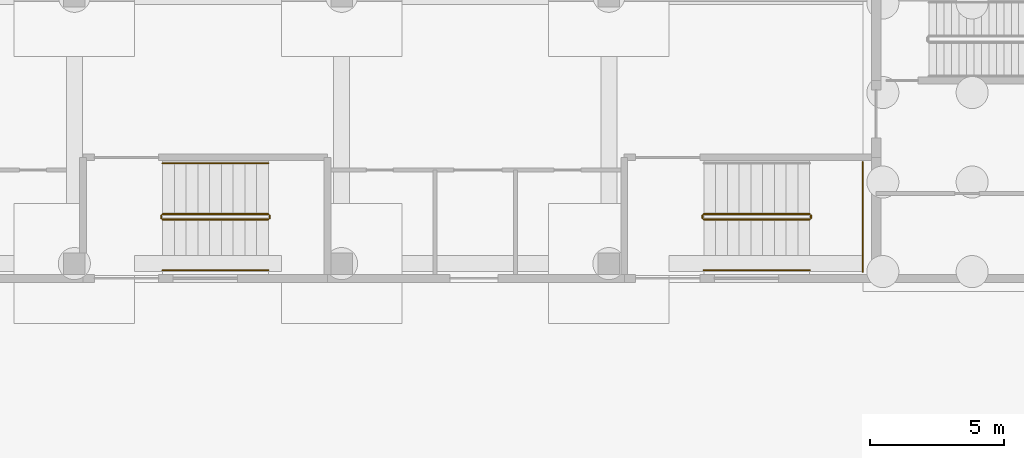
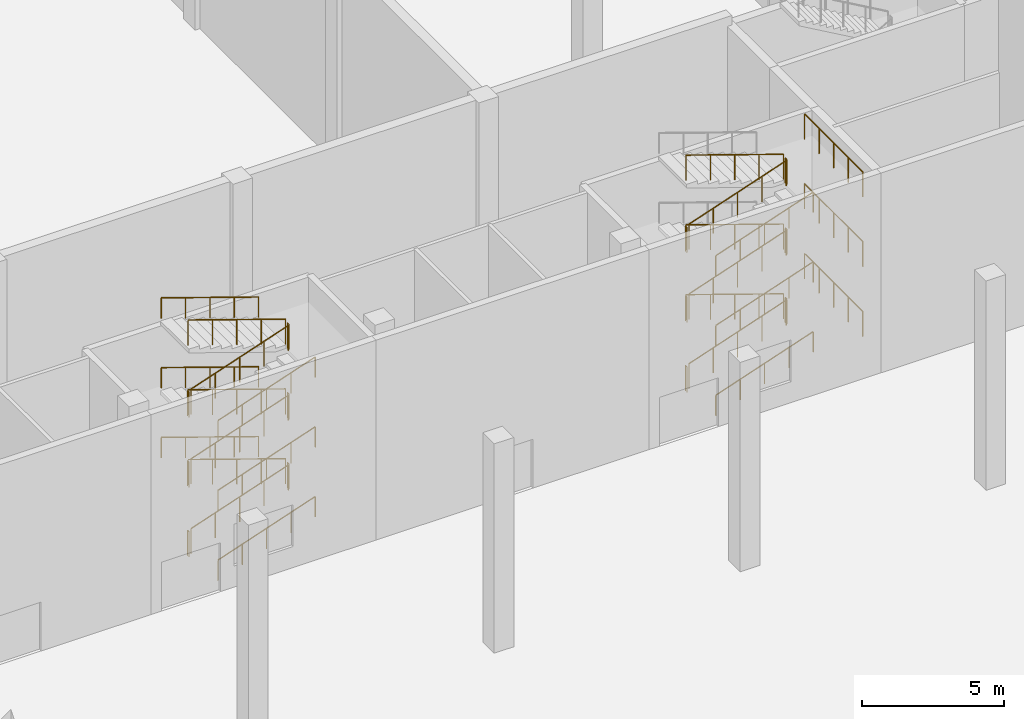
# One storey, part 55 of 63: 36 railings.
"""IFC4 building model written with IfcOpenShell, lengths in metres."""

from ifc_helpers import new_model, si_unit, direction, frame, origin, origin_2d, place, context, subcontext, project, spatial, circle, extrude, material, type_object, element, save


model = new_model("IFC4")

# Units and contexts
model_context = context("Model", 3, precision=1e-05, world=origin(), true_north=direction((0.0, 1.0)))
body_context = subcontext(model_context, "Body", "Model", "MODEL_VIEW")
ifc_project = project(units=[si_unit("LENGTHUNIT", "METRE"), si_unit("AREAUNIT", "SQUARE_METRE"), si_unit("VOLUMEUNIT", "CUBIC_METRE"), si_unit("PLANEANGLEUNIT", "RADIAN"), si_unit("MASSUNIT", "GRAM", prefix="KILO")], contexts=[model_context])

# Site, building, storey
site_placement = place(None, origin())
site = spatial("IfcSite", under=ifc_project, at=site_placement, CompositionType="ELEMENT")
building_placement = place(site_placement, origin())
building = spatial("IfcBuilding", under=site, at=building_placement, Name="Jabali Bay Hotel Tower and Convention Centre", CompositionType="ELEMENT")
storey_placement = place(building_placement, origin())
storey = spatial("IfcBuildingStorey", under=building, at=storey_placement, Name="L00", CompositionType="ELEMENT", Elevation=0.0)

# Railings
ifc_material = material(Name="Stainless steel 304", Category="steel")
railing_type_1 = type_object("IfcRailingType", Name="CC Stair Guard 1100", PredefinedType="GUARDRAIL", material=ifc_material)
railing_1_placement = place(storey_placement, frame((204.0, 51.64990234375, 0.14990234375)))
element("IfcRailing", 1, at=railing_1_placement, inside=storey, type_object=railing_type_1, Name="L00 CC-STS2 stair guard 1", PredefinedType="GUARDRAIL", context=body_context, shape_type="SweptSolid", body=[
    extrude(circle(Radius=0.02392578125, at=origin_2d()), frame((0.0, 0.0, 1.076171875), z_axis=(0.946502086907, 0.0, 0.322697690542), x_axis=(0.0, 1.0, 0.0)), (0.0, 0.0, 1.0), 4.183837890625),
    extrude(circle(Radius=0.02099609375, at=origin_2d()), origin(), (0.0, 0.0, 1.0), 1.052001953125),
    extrude(circle(Radius=0.02099609375, at=origin_2d()), frame((0.989990234375, 0.0, 0.33740234375)), (0.0, 0.0, 1.0), 1.052001953125),
    extrude(circle(Radius=0.02099609375, at=origin_2d()), frame((1.97998046875, 0.0, 0.675048828125)), (0.0, 0.0, 1.0), 1.052001953125),
    extrude(circle(Radius=0.02099609375, at=origin_2d()), frame((2.969970703125, 0.0, 1.0126953125)), (0.0, 0.0, 1.0), 1.052001953125),
    extrude(circle(Radius=0.02099609375, at=origin_2d()), frame((3.9599609375, 0.0, 1.35009765625)), (0.0, 0.0, 1.0), 1.052001953125),
])
railing_2_placement = place(storey_placement, frame((208.010009765625, 51.699951171875, 1.5)))
element("IfcRailing", 2, at=railing_2_placement, inside=storey, type_object=railing_type_1, Name="L00 CC-STS2 stair guard 2", PredefinedType="GUARDRAIL", context=body_context, shape_type="SweptSolid", body=[
    extrude(circle(Radius=0.02392578125, at=origin_2d()), frame((0.0, 0.0, 1.076171875), z_axis=(0.0, 1.0, 0.0), x_axis=(-1.0, 0.0, 0.0)), (0.0, 0.0, 1.0), 0.10009765625),
    extrude(circle(Radius=0.02099609375, at=origin_2d()), origin(), (0.0, 0.0, 1.0), 1.052001953125),
    extrude(circle(Radius=0.02099609375, at=origin_2d()), frame((0.0, 0.10009765625, 0.0)), (0.0, 0.0, 1.0), 1.052001953125),
])
railing_3_placement = place(storey_placement, frame((207.9599609375, 51.85009765625, 1.64990234375)))
element("IfcRailing", 3, at=railing_3_placement, inside=storey, type_object=railing_type_1, Name="L00 CC-STS2 stair guard 3", PredefinedType="GUARDRAIL", context=body_context, shape_type="SweptSolid", body=[
    extrude(circle(Radius=0.02392578125, at=origin_2d()), frame((0.0, 0.0, 1.076171875), z_axis=(-0.946502086907, 0.0, 0.322697690542), x_axis=(0.0, -1.0, 0.0)), (0.0, 0.0, 1.0), 4.183837890625),
    extrude(circle(Radius=0.02099609375, at=origin_2d()), origin(), (0.0, 0.0, 1.0), 1.052001953125),
    extrude(circle(Radius=0.02099609375, at=origin_2d()), frame((-0.989990234375, 0.0, 0.33740234375)), (0.0, 0.0, 1.0), 1.052001953125),
    extrude(circle(Radius=0.02099609375, at=origin_2d()), frame((-1.97998046875, 0.0, 0.675048828125)), (0.0, 0.0, 1.0), 1.052001953125),
    extrude(circle(Radius=0.02099609375, at=origin_2d()), frame((-2.969970703125, 0.0, 1.0126953125)), (0.0, 0.0, 1.0), 1.052001953125),
    extrude(circle(Radius=0.02099609375, at=origin_2d()), frame((-3.9599609375, 0.0, 1.35009765625)), (0.0, 0.0, 1.0), 1.052001953125),
])
railing_4_placement = place(storey_placement, frame((203.949951171875, 51.699951171875, 3.0)))
element("IfcRailing", 4, at=railing_4_placement, inside=storey, type_object=railing_type_1, Name="L00 CC-STS2 stair guard 4", PredefinedType="GUARDRAIL", context=body_context, shape_type="SweptSolid", body=[
    extrude(circle(Radius=0.02392578125, at=origin_2d()), frame((0.0, 0.0, 1.076171875), z_axis=(0.0, 1.0, 0.0), x_axis=(-1.0, 0.0, 0.0)), (0.0, 0.0, 1.0), 0.10009765625),
    extrude(circle(Radius=0.02099609375, at=origin_2d()), origin(), (0.0, 0.0, 1.0), 1.052001953125),
    extrude(circle(Radius=0.02099609375, at=origin_2d()), frame((0.0, 0.10009765625, 0.0)), (0.0, 0.0, 1.0), 1.052001953125),
])
railing_5_placement = place(storey_placement, frame((204.0, 51.64990234375, 3.14990234375)))
element("IfcRailing", 5, at=railing_5_placement, inside=storey, type_object=railing_type_1, Name="L00 CC-STS2 stair guard 5", PredefinedType="GUARDRAIL", context=body_context, shape_type="SweptSolid", body=[
    extrude(circle(Radius=0.02392578125, at=origin_2d()), frame((0.0, 0.0, 1.076171875), z_axis=(0.946502086907, 0.0, 0.322697690542), x_axis=(0.0, 1.0, 0.0)), (0.0, 0.0, 1.0), 4.183837890625),
    extrude(circle(Radius=0.02099609375, at=origin_2d()), origin(), (0.0, 0.0, 1.0), 1.052001953125),
    extrude(circle(Radius=0.02099609375, at=origin_2d()), frame((0.989990234375, 0.0, 0.33740234375)), (0.0, 0.0, 1.0), 1.052001953125),
    extrude(circle(Radius=0.02099609375, at=origin_2d()), frame((1.97998046875, 0.0, 0.675048828125)), (0.0, 0.0, 1.0), 1.052001953125),
    extrude(circle(Radius=0.02099609375, at=origin_2d()), frame((2.969970703125, 0.0, 1.0126953125)), (0.0, 0.0, 1.0), 1.052001953125),
    extrude(circle(Radius=0.02099609375, at=origin_2d()), frame((3.9599609375, 0.0, 1.35009765625)), (0.0, 0.0, 1.0), 1.052001953125),
])
railing_6_placement = place(storey_placement, frame((208.010009765625, 51.699951171875, 4.5)))
element("IfcRailing", 6, at=railing_6_placement, inside=storey, type_object=railing_type_1, Name="L00 CC-STS2 stair guard 6", PredefinedType="GUARDRAIL", context=body_context, shape_type="SweptSolid", body=[
    extrude(circle(Radius=0.02392578125, at=origin_2d()), frame((0.0, 0.0, 1.076171875), z_axis=(0.0, 1.0, 0.0), x_axis=(-1.0, 0.0, 0.0)), (0.0, 0.0, 1.0), 0.10009765625),
    extrude(circle(Radius=0.02099609375, at=origin_2d()), origin(), (0.0, 0.0, 1.0), 1.052001953125),
    extrude(circle(Radius=0.02099609375, at=origin_2d()), frame((0.0, 0.10009765625, 0.0)), (0.0, 0.0, 1.0), 1.052001953125),
])
railing_7_placement = place(storey_placement, frame((207.9599609375, 51.85009765625, 4.64990234375)))
element("IfcRailing", 7, at=railing_7_placement, inside=storey, type_object=railing_type_1, Name="L00 CC-STS2 stair guard 7", PredefinedType="GUARDRAIL", context=body_context, shape_type="SweptSolid", body=[
    extrude(circle(Radius=0.02392578125, at=origin_2d()), frame((0.0, 0.0, 1.076171875), z_axis=(-0.946502086907, 0.0, 0.322697690542), x_axis=(0.0, -1.0, 0.0)), (0.0, 0.0, 1.0), 4.183837890625),
    extrude(circle(Radius=0.02099609375, at=origin_2d()), origin(), (0.0, 0.0, 1.0), 1.052001953125),
    extrude(circle(Radius=0.02099609375, at=origin_2d()), frame((-0.989990234375, 0.0, 0.33740234375)), (0.0, 0.0, 1.0), 1.052001953125),
    extrude(circle(Radius=0.02099609375, at=origin_2d()), frame((-1.97998046875, 0.0, 0.675048828125)), (0.0, 0.0, 1.0), 1.052001953125),
    extrude(circle(Radius=0.02099609375, at=origin_2d()), frame((-2.969970703125, 0.0, 1.0126953125)), (0.0, 0.0, 1.0), 1.052001953125),
    extrude(circle(Radius=0.02099609375, at=origin_2d()), frame((-3.9599609375, 0.0, 1.35009765625)), (0.0, 0.0, 1.0), 1.052001953125),
])
railing_8_placement = place(storey_placement, frame((203.949951171875, 51.699951171875, 6.0)))
element("IfcRailing", 8, at=railing_8_placement, inside=storey, type_object=railing_type_1, Name="L00 CC-STS2 stair guard 8", PredefinedType="GUARDRAIL", context=body_context, shape_type="SweptSolid", body=[
    extrude(circle(Radius=0.02392578125, at=origin_2d()), frame((0.0, 0.0, 1.076171875), z_axis=(0.0, 1.0, 0.0), x_axis=(-1.0, 0.0, 0.0)), (0.0, 0.0, 1.0), 0.10009765625),
    extrude(circle(Radius=0.02099609375, at=origin_2d()), origin(), (0.0, 0.0, 1.0), 1.052001953125),
    extrude(circle(Radius=0.02099609375, at=origin_2d()), frame((0.0, 0.10009765625, 0.0)), (0.0, 0.0, 1.0), 1.052001953125),
])
railing_9_placement = place(storey_placement, frame((204.0, 51.64990234375, 6.14990234375)))
element("IfcRailing", 9, at=railing_9_placement, inside=storey, type_object=railing_type_1, Name="L00 CC-STS2 stair guard 9", PredefinedType="GUARDRAIL", context=body_context, shape_type="SweptSolid", body=[
    extrude(circle(Radius=0.02392578125, at=origin_2d()), frame((0.0, 0.0, 1.076171875), z_axis=(0.946502086907, 0.0, 0.322697690542), x_axis=(0.0, 1.0, 0.0)), (0.0, 0.0, 1.0), 4.183837890625),
    extrude(circle(Radius=0.02099609375, at=origin_2d()), origin(), (0.0, 0.0, 1.0), 1.052001953125),
    extrude(circle(Radius=0.02099609375, at=origin_2d()), frame((0.989990234375, 0.0, 0.33740234375)), (0.0, 0.0, 1.0), 1.052001953125),
    extrude(circle(Radius=0.02099609375, at=origin_2d()), frame((1.97998046875, 0.0, 0.675048828125)), (0.0, 0.0, 1.0), 1.052001953125),
    extrude(circle(Radius=0.02099609375, at=origin_2d()), frame((2.969970703125, 0.0, 1.0126953125)), (0.0, 0.0, 1.0), 1.052001953125),
    extrude(circle(Radius=0.02099609375, at=origin_2d()), frame((3.9599609375, 0.0, 1.35009765625)), (0.0, 0.0, 1.0), 1.052001953125),
])
railing_10_placement = place(storey_placement, frame((208.010009765625, 51.699951171875, 7.5)))
element("IfcRailing", 10, at=railing_10_placement, inside=storey, type_object=railing_type_1, Name="L00 CC-STS2 stair guard 10", PredefinedType="GUARDRAIL", context=body_context, shape_type="SweptSolid", body=[
    extrude(circle(Radius=0.02392578125, at=origin_2d()), frame((0.0, 0.0, 1.076171875), z_axis=(0.0, 1.0, 0.0), x_axis=(-1.0, 0.0, 0.0)), (0.0, 0.0, 1.0), 0.10009765625),
    extrude(circle(Radius=0.02099609375, at=origin_2d()), origin(), (0.0, 0.0, 1.0), 1.052001953125),
    extrude(circle(Radius=0.02099609375, at=origin_2d()), frame((0.0, 0.10009765625, 0.0)), (0.0, 0.0, 1.0), 1.052001953125),
])
railing_11_placement = place(storey_placement, frame((207.9599609375, 51.85009765625, 7.64990234375)))
element("IfcRailing", 11, at=railing_11_placement, inside=storey, type_object=railing_type_1, Name="L00 CC-STS2 stair guard 11", PredefinedType="GUARDRAIL", context=body_context, shape_type="SweptSolid", body=[
    extrude(circle(Radius=0.02392578125, at=origin_2d()), frame((0.0, 0.0, 1.076171875), z_axis=(-0.946502086907, 0.0, 0.322697690542), x_axis=(0.0, -1.0, 0.0)), (0.0, 0.0, 1.0), 4.183837890625),
    extrude(circle(Radius=0.02099609375, at=origin_2d()), origin(), (0.0, 0.0, 1.0), 1.052001953125),
    extrude(circle(Radius=0.02099609375, at=origin_2d()), frame((-0.989990234375, 0.0, 0.33740234375)), (0.0, 0.0, 1.0), 1.052001953125),
    extrude(circle(Radius=0.02099609375, at=origin_2d()), frame((-1.97998046875, 0.0, 0.675048828125)), (0.0, 0.0, 1.0), 1.052001953125),
    extrude(circle(Radius=0.02099609375, at=origin_2d()), frame((-2.969970703125, 0.0, 1.0126953125)), (0.0, 0.0, 1.0), 1.052001953125),
    extrude(circle(Radius=0.02099609375, at=origin_2d()), frame((-3.9599609375, 0.0, 1.35009765625)), (0.0, 0.0, 1.0), 1.052001953125),
])
railing_12_placement = place(storey_placement, frame((203.949951171875, 51.699951171875, 0.0)))
element("IfcRailing", 12, at=railing_12_placement, inside=storey, type_object=railing_type_1, Name="L00 CC-STS2 stair guard 12", PredefinedType="GUARDRAIL", context=body_context, shape_type="SweptSolid", body=[
    extrude(circle(Radius=0.02392578125, at=origin_2d()), frame((0.0, 0.0, 1.076171875), z_axis=(0.0, 1.0, 0.0), x_axis=(-1.0, 0.0, 0.0)), (0.0, 0.0, 1.0), 0.10009765625),
    extrude(circle(Radius=0.02099609375, at=origin_2d()), origin(), (0.0, 0.0, 1.0), 1.052001953125),
    extrude(circle(Radius=0.02099609375, at=origin_2d()), frame((0.0, 0.10009765625, 0.0)), (0.0, 0.0, 1.0), 1.052001953125),
])
railing_13_placement = place(storey_placement, frame((224.25, 51.64990234375, 0.14990234375)))
element("IfcRailing", 13, at=railing_13_placement, inside=storey, type_object=railing_type_1, Name="L00 CC-STS3 stair guard 1", PredefinedType="GUARDRAIL", context=body_context, shape_type="SweptSolid", body=[
    extrude(circle(Radius=0.02392578125, at=origin_2d()), frame((0.0, 0.0, 1.076171875), z_axis=(0.946502086907, 0.0, 0.322697690542), x_axis=(0.0, 1.0, 0.0)), (0.0, 0.0, 1.0), 4.183837890625),
    extrude(circle(Radius=0.02099609375, at=origin_2d()), origin(), (0.0, 0.0, 1.0), 1.052001953125),
    extrude(circle(Radius=0.02099609375, at=origin_2d()), frame((0.989990234375, 0.0, 0.33740234375)), (0.0, 0.0, 1.0), 1.052001953125),
    extrude(circle(Radius=0.02099609375, at=origin_2d()), frame((1.97998046875, 0.0, 0.675048828125)), (0.0, 0.0, 1.0), 1.052001953125),
    extrude(circle(Radius=0.02099609375, at=origin_2d()), frame((2.969970703125, 0.0, 1.0126953125)), (0.0, 0.0, 1.0), 1.052001953125),
    extrude(circle(Radius=0.02099609375, at=origin_2d()), frame((3.9599609375, 0.0, 1.35009765625)), (0.0, 0.0, 1.0), 1.052001953125),
])
railing_14_placement = place(storey_placement, frame((228.260009765625, 51.699951171875, 1.5)))
element("IfcRailing", 14, at=railing_14_placement, inside=storey, type_object=railing_type_1, Name="L00 CC-STS3 stair guard 2", PredefinedType="GUARDRAIL", context=body_context, shape_type="SweptSolid", body=[
    extrude(circle(Radius=0.02392578125, at=origin_2d()), frame((0.0, 0.0, 1.076171875), z_axis=(0.0, 1.0, 0.0), x_axis=(-1.0, 0.0, 0.0)), (0.0, 0.0, 1.0), 0.10009765625),
    extrude(circle(Radius=0.02099609375, at=origin_2d()), origin(), (0.0, 0.0, 1.0), 1.052001953125),
    extrude(circle(Radius=0.02099609375, at=origin_2d()), frame((0.0, 0.10009765625, 0.0)), (0.0, 0.0, 1.0), 1.052001953125),
])
railing_15_placement = place(storey_placement, frame((230.199951171875, 49.699951171875, 1.5)))
element("IfcRailing", 15, at=railing_15_placement, inside=storey, type_object=railing_type_1, Name="L00 CC-STS3 stair guard 3", PredefinedType="GUARDRAIL", context=body_context, shape_type="SweptSolid", body=[
    extrude(circle(Radius=0.02392578125, at=origin_2d()), frame((0.0, 0.0, 1.076171875), z_axis=(0.0, 1.0, 0.0), x_axis=(-1.0, 0.0, 0.0)), (0.0, 0.0, 1.0), 4.10009765625),
    extrude(circle(Radius=0.02099609375, at=origin_2d()), origin(), (0.0, 0.0, 1.0), 1.052001953125),
    extrude(circle(Radius=0.02099609375, at=origin_2d()), frame((0.0, 1.02490234375, 0.0)), (0.0, 0.0, 1.0), 1.052001953125),
    extrude(circle(Radius=0.02099609375, at=origin_2d()), frame((0.0, 2.050048828125, 0.0)), (0.0, 0.0, 1.0), 1.052001953125),
    extrude(circle(Radius=0.02099609375, at=origin_2d()), frame((0.0, 3.0751953125, 0.0)), (0.0, 0.0, 1.0), 1.052001953125),
    extrude(circle(Radius=0.02099609375, at=origin_2d()), frame((0.0, 4.10009765625, 0.0)), (0.0, 0.0, 1.0), 1.052001953125),
])
railing_16_placement = place(storey_placement, frame((228.2099609375, 51.85009765625, 1.64990234375)))
element("IfcRailing", 16, at=railing_16_placement, inside=storey, type_object=railing_type_1, Name="L00 CC-STS3 stair guard 4", PredefinedType="GUARDRAIL", context=body_context, shape_type="SweptSolid", body=[
    extrude(circle(Radius=0.02392578125, at=origin_2d()), frame((0.0, 0.0, 1.076171875), z_axis=(-0.946502086907, 0.0, 0.322697690542), x_axis=(0.0, -1.0, 0.0)), (0.0, 0.0, 1.0), 4.183837890625),
    extrude(circle(Radius=0.02099609375, at=origin_2d()), origin(), (0.0, 0.0, 1.0), 1.052001953125),
    extrude(circle(Radius=0.02099609375, at=origin_2d()), frame((-0.989990234375, 0.0, 0.33740234375)), (0.0, 0.0, 1.0), 1.052001953125),
    extrude(circle(Radius=0.02099609375, at=origin_2d()), frame((-1.97998046875, 0.0, 0.675048828125)), (0.0, 0.0, 1.0), 1.052001953125),
    extrude(circle(Radius=0.02099609375, at=origin_2d()), frame((-2.969970703125, 0.0, 1.0126953125)), (0.0, 0.0, 1.0), 1.052001953125),
    extrude(circle(Radius=0.02099609375, at=origin_2d()), frame((-3.9599609375, 0.0, 1.35009765625)), (0.0, 0.0, 1.0), 1.052001953125),
])
railing_17_placement = place(storey_placement, frame((224.199951171875, 51.699951171875, 3.0)))
element("IfcRailing", 17, at=railing_17_placement, inside=storey, type_object=railing_type_1, Name="L00 CC-STS3 stair guard 5", PredefinedType="GUARDRAIL", context=body_context, shape_type="SweptSolid", body=[
    extrude(circle(Radius=0.02392578125, at=origin_2d()), frame((0.0, 0.0, 1.076171875), z_axis=(0.0, 1.0, 0.0), x_axis=(-1.0, 0.0, 0.0)), (0.0, 0.0, 1.0), 0.10009765625),
    extrude(circle(Radius=0.02099609375, at=origin_2d()), origin(), (0.0, 0.0, 1.0), 1.052001953125),
    extrude(circle(Radius=0.02099609375, at=origin_2d()), frame((0.0, 0.10009765625, 0.0)), (0.0, 0.0, 1.0), 1.052001953125),
])
railing_18_placement = place(storey_placement, frame((224.25, 51.64990234375, 3.14990234375)))
element("IfcRailing", 18, at=railing_18_placement, inside=storey, type_object=railing_type_1, Name="L00 CC-STS3 stair guard 6", PredefinedType="GUARDRAIL", context=body_context, shape_type="SweptSolid", body=[
    extrude(circle(Radius=0.02392578125, at=origin_2d()), frame((0.0, 0.0, 1.076171875), z_axis=(0.946502086907, 0.0, 0.322697690542), x_axis=(0.0, 1.0, 0.0)), (0.0, 0.0, 1.0), 4.183837890625),
    extrude(circle(Radius=0.02099609375, at=origin_2d()), origin(), (0.0, 0.0, 1.0), 1.052001953125),
    extrude(circle(Radius=0.02099609375, at=origin_2d()), frame((0.989990234375, 0.0, 0.33740234375)), (0.0, 0.0, 1.0), 1.052001953125),
    extrude(circle(Radius=0.02099609375, at=origin_2d()), frame((1.97998046875, 0.0, 0.675048828125)), (0.0, 0.0, 1.0), 1.052001953125),
    extrude(circle(Radius=0.02099609375, at=origin_2d()), frame((2.969970703125, 0.0, 1.0126953125)), (0.0, 0.0, 1.0), 1.052001953125),
    extrude(circle(Radius=0.02099609375, at=origin_2d()), frame((3.9599609375, 0.0, 1.35009765625)), (0.0, 0.0, 1.0), 1.052001953125),
])
railing_19_placement = place(storey_placement, frame((228.260009765625, 51.699951171875, 4.5)))
element("IfcRailing", 19, at=railing_19_placement, inside=storey, type_object=railing_type_1, Name="L00 CC-STS3 stair guard 7", PredefinedType="GUARDRAIL", context=body_context, shape_type="SweptSolid", body=[
    extrude(circle(Radius=0.02392578125, at=origin_2d()), frame((0.0, 0.0, 1.076171875), z_axis=(0.0, 1.0, 0.0), x_axis=(-1.0, 0.0, 0.0)), (0.0, 0.0, 1.0), 0.10009765625),
    extrude(circle(Radius=0.02099609375, at=origin_2d()), origin(), (0.0, 0.0, 1.0), 1.052001953125),
    extrude(circle(Radius=0.02099609375, at=origin_2d()), frame((0.0, 0.10009765625, 0.0)), (0.0, 0.0, 1.0), 1.052001953125),
])
railing_20_placement = place(storey_placement, frame((230.199951171875, 49.699951171875, 4.5)))
element("IfcRailing", 20, at=railing_20_placement, inside=storey, type_object=railing_type_1, Name="L00 CC-STS3 stair guard 8", PredefinedType="GUARDRAIL", context=body_context, shape_type="SweptSolid", body=[
    extrude(circle(Radius=0.02392578125, at=origin_2d()), frame((0.0, 0.0, 1.076171875), z_axis=(0.0, 1.0, 0.0), x_axis=(-1.0, 0.0, 0.0)), (0.0, 0.0, 1.0), 4.10009765625),
    extrude(circle(Radius=0.02099609375, at=origin_2d()), origin(), (0.0, 0.0, 1.0), 1.052001953125),
    extrude(circle(Radius=0.02099609375, at=origin_2d()), frame((0.0, 1.02490234375, 0.0)), (0.0, 0.0, 1.0), 1.052001953125),
    extrude(circle(Radius=0.02099609375, at=origin_2d()), frame((0.0, 2.050048828125, 0.0)), (0.0, 0.0, 1.0), 1.052001953125),
    extrude(circle(Radius=0.02099609375, at=origin_2d()), frame((0.0, 3.0751953125, 0.0)), (0.0, 0.0, 1.0), 1.052001953125),
    extrude(circle(Radius=0.02099609375, at=origin_2d()), frame((0.0, 4.10009765625, 0.0)), (0.0, 0.0, 1.0), 1.052001953125),
])
railing_21_placement = place(storey_placement, frame((228.2099609375, 51.85009765625, 4.64990234375)))
element("IfcRailing", 21, at=railing_21_placement, inside=storey, type_object=railing_type_1, Name="L00 CC-STS3 stair guard 9", PredefinedType="GUARDRAIL", context=body_context, shape_type="SweptSolid", body=[
    extrude(circle(Radius=0.02392578125, at=origin_2d()), frame((0.0, 0.0, 1.076171875), z_axis=(-0.946502086907, 0.0, 0.322697690542), x_axis=(0.0, -1.0, 0.0)), (0.0, 0.0, 1.0), 4.183837890625),
    extrude(circle(Radius=0.02099609375, at=origin_2d()), origin(), (0.0, 0.0, 1.0), 1.052001953125),
    extrude(circle(Radius=0.02099609375, at=origin_2d()), frame((-0.989990234375, 0.0, 0.33740234375)), (0.0, 0.0, 1.0), 1.052001953125),
    extrude(circle(Radius=0.02099609375, at=origin_2d()), frame((-1.97998046875, 0.0, 0.675048828125)), (0.0, 0.0, 1.0), 1.052001953125),
    extrude(circle(Radius=0.02099609375, at=origin_2d()), frame((-2.969970703125, 0.0, 1.0126953125)), (0.0, 0.0, 1.0), 1.052001953125),
    extrude(circle(Radius=0.02099609375, at=origin_2d()), frame((-3.9599609375, 0.0, 1.35009765625)), (0.0, 0.0, 1.0), 1.052001953125),
])
railing_22_placement = place(storey_placement, frame((224.199951171875, 51.699951171875, 6.0)))
element("IfcRailing", 22, at=railing_22_placement, inside=storey, type_object=railing_type_1, Name="L00 CC-STS3 stair guard 10", PredefinedType="GUARDRAIL", context=body_context, shape_type="SweptSolid", body=[
    extrude(circle(Radius=0.02392578125, at=origin_2d()), frame((0.0, 0.0, 1.076171875), z_axis=(0.0, 1.0, 0.0), x_axis=(-1.0, 0.0, 0.0)), (0.0, 0.0, 1.0), 0.10009765625),
    extrude(circle(Radius=0.02099609375, at=origin_2d()), origin(), (0.0, 0.0, 1.0), 1.052001953125),
    extrude(circle(Radius=0.02099609375, at=origin_2d()), frame((0.0, 0.10009765625, 0.0)), (0.0, 0.0, 1.0), 1.052001953125),
])
railing_23_placement = place(storey_placement, frame((224.25, 51.64990234375, 6.14990234375)))
element("IfcRailing", 23, at=railing_23_placement, inside=storey, type_object=railing_type_1, Name="L00 CC-STS3 stair guard 11", PredefinedType="GUARDRAIL", context=body_context, shape_type="SweptSolid", body=[
    extrude(circle(Radius=0.02392578125, at=origin_2d()), frame((0.0, 0.0, 1.076171875), z_axis=(0.946502086907, 0.0, 0.322697690542), x_axis=(0.0, 1.0, 0.0)), (0.0, 0.0, 1.0), 4.183837890625),
    extrude(circle(Radius=0.02099609375, at=origin_2d()), origin(), (0.0, 0.0, 1.0), 1.052001953125),
    extrude(circle(Radius=0.02099609375, at=origin_2d()), frame((0.989990234375, 0.0, 0.33740234375)), (0.0, 0.0, 1.0), 1.052001953125),
    extrude(circle(Radius=0.02099609375, at=origin_2d()), frame((1.97998046875, 0.0, 0.675048828125)), (0.0, 0.0, 1.0), 1.052001953125),
    extrude(circle(Radius=0.02099609375, at=origin_2d()), frame((2.969970703125, 0.0, 1.0126953125)), (0.0, 0.0, 1.0), 1.052001953125),
    extrude(circle(Radius=0.02099609375, at=origin_2d()), frame((3.9599609375, 0.0, 1.35009765625)), (0.0, 0.0, 1.0), 1.052001953125),
])
railing_24_placement = place(storey_placement, frame((228.260009765625, 51.699951171875, 7.5)))
element("IfcRailing", 24, at=railing_24_placement, inside=storey, type_object=railing_type_1, Name="L00 CC-STS3 stair guard 12", PredefinedType="GUARDRAIL", context=body_context, shape_type="SweptSolid", body=[
    extrude(circle(Radius=0.02392578125, at=origin_2d()), frame((0.0, 0.0, 1.076171875), z_axis=(0.0, 1.0, 0.0), x_axis=(-1.0, 0.0, 0.0)), (0.0, 0.0, 1.0), 0.10009765625),
    extrude(circle(Radius=0.02099609375, at=origin_2d()), origin(), (0.0, 0.0, 1.0), 1.052001953125),
    extrude(circle(Radius=0.02099609375, at=origin_2d()), frame((0.0, 0.10009765625, 0.0)), (0.0, 0.0, 1.0), 1.052001953125),
])
railing_25_placement = place(storey_placement, frame((230.199951171875, 49.699951171875, 7.5)))
element("IfcRailing", 25, at=railing_25_placement, inside=storey, type_object=railing_type_1, Name="L00 CC-STS3 stair guard 13", PredefinedType="GUARDRAIL", context=body_context, shape_type="SweptSolid", body=[
    extrude(circle(Radius=0.02392578125, at=origin_2d()), frame((0.0, 0.0, 1.076171875), z_axis=(0.0, 1.0, 0.0), x_axis=(-1.0, 0.0, 0.0)), (0.0, 0.0, 1.0), 4.10009765625),
    extrude(circle(Radius=0.02099609375, at=origin_2d()), origin(), (0.0, 0.0, 1.0), 1.052001953125),
    extrude(circle(Radius=0.02099609375, at=origin_2d()), frame((0.0, 1.02490234375, 0.0)), (0.0, 0.0, 1.0), 1.052001953125),
    extrude(circle(Radius=0.02099609375, at=origin_2d()), frame((0.0, 2.050048828125, 0.0)), (0.0, 0.0, 1.0), 1.052001953125),
    extrude(circle(Radius=0.02099609375, at=origin_2d()), frame((0.0, 3.0751953125, 0.0)), (0.0, 0.0, 1.0), 1.052001953125),
    extrude(circle(Radius=0.02099609375, at=origin_2d()), frame((0.0, 4.10009765625, 0.0)), (0.0, 0.0, 1.0), 1.052001953125),
])
railing_26_placement = place(storey_placement, frame((228.2099609375, 51.85009765625, 7.64990234375)))
element("IfcRailing", 26, at=railing_26_placement, inside=storey, type_object=railing_type_1, Name="L00 CC-STS3 stair guard 14", PredefinedType="GUARDRAIL", context=body_context, shape_type="SweptSolid", body=[
    extrude(circle(Radius=0.02392578125, at=origin_2d()), frame((0.0, 0.0, 1.076171875), z_axis=(-0.946502086907, 0.0, 0.322697690542), x_axis=(0.0, -1.0, 0.0)), (0.0, 0.0, 1.0), 4.183837890625),
    extrude(circle(Radius=0.02099609375, at=origin_2d()), origin(), (0.0, 0.0, 1.0), 1.052001953125),
    extrude(circle(Radius=0.02099609375, at=origin_2d()), frame((-0.989990234375, 0.0, 0.33740234375)), (0.0, 0.0, 1.0), 1.052001953125),
    extrude(circle(Radius=0.02099609375, at=origin_2d()), frame((-1.97998046875, 0.0, 0.675048828125)), (0.0, 0.0, 1.0), 1.052001953125),
    extrude(circle(Radius=0.02099609375, at=origin_2d()), frame((-2.969970703125, 0.0, 1.0126953125)), (0.0, 0.0, 1.0), 1.052001953125),
    extrude(circle(Radius=0.02099609375, at=origin_2d()), frame((-3.9599609375, 0.0, 1.35009765625)), (0.0, 0.0, 1.0), 1.052001953125),
])
railing_27_placement = place(storey_placement, frame((224.199951171875, 51.699951171875, 0.0)))
element("IfcRailing", 27, at=railing_27_placement, inside=storey, type_object=railing_type_1, Name="L00 CC-STS3 stair guard 15", PredefinedType="GUARDRAIL", context=body_context, shape_type="SweptSolid", body=[
    extrude(circle(Radius=0.02392578125, at=origin_2d()), frame((0.0, 0.0, 1.076171875), z_axis=(0.0, 1.0, 0.0), x_axis=(-1.0, 0.0, 0.0)), (0.0, 0.0, 1.0), 0.10009765625),
    extrude(circle(Radius=0.02099609375, at=origin_2d()), origin(), (0.0, 0.0, 1.0), 1.052001953125),
    extrude(circle(Radius=0.02099609375, at=origin_2d()), frame((0.0, 0.10009765625, 0.0)), (0.0, 0.0, 1.0), 1.052001953125),
])
railing_type_2 = type_object("IfcRailingType", Name="CC Stair Handrail 900", PredefinedType="HANDRAIL", material=ifc_material)
railing_28_placement = place(storey_placement, frame((204.0, 49.75, 0.14990234375)))
element("IfcRailing", 28, at=railing_28_placement, inside=storey, type_object=railing_type_2, Name="L00 CC-STS2 stair handrail 1", PredefinedType="HANDRAIL", context=body_context, shape_type="SweptSolid", body=[
    extrude(circle(Radius=0.02392578125, at=origin_2d()), frame((0.0, 0.0, 0.8759765625), z_axis=(0.946502086907, 0.0, 0.322697690542), x_axis=(0.0, 1.0, 0.0)), (0.0, 0.0, 1.0), 4.183837890625),
    extrude(circle(Radius=0.02099609375, at=origin_2d()), origin(), (0.0, 0.0, 1.0), 0.851806640625),
    extrude(circle(Radius=0.02099609375, at=origin_2d()), frame((0.989990234375, 0.0, 0.33740234375)), (0.0, 0.0, 1.0), 0.851806640625),
    extrude(circle(Radius=0.02099609375, at=origin_2d()), frame((1.97998046875, 0.0, 0.675048828125)), (0.0, 0.0, 1.0), 0.851806640625),
    extrude(circle(Radius=0.02099609375, at=origin_2d()), frame((2.969970703125, 0.0, 1.0126953125)), (0.0, 0.0, 1.0), 0.851806640625),
    extrude(circle(Radius=0.02099609375, at=origin_2d()), frame((3.9599609375, 0.0, 1.35009765625)), (0.0, 0.0, 1.0), 0.851806640625),
])
railing_29_placement = place(storey_placement, frame((207.9599609375, 53.75, 1.64990234375)))
element("IfcRailing", 29, at=railing_29_placement, inside=storey, type_object=railing_type_2, Name="L00 CC-STS2 stair handrail 2", PredefinedType="HANDRAIL", context=body_context, shape_type="SweptSolid", body=[
    extrude(circle(Radius=0.02392578125, at=origin_2d()), frame((0.0, 0.0, 0.8759765625), z_axis=(-0.946502086907, 0.0, 0.322697690542), x_axis=(0.0, -1.0, 0.0)), (0.0, 0.0, 1.0), 4.183837890625),
    extrude(circle(Radius=0.02099609375, at=origin_2d()), origin(), (0.0, 0.0, 1.0), 0.851806640625),
    extrude(circle(Radius=0.02099609375, at=origin_2d()), frame((-0.989990234375, 0.0, 0.33740234375)), (0.0, 0.0, 1.0), 0.851806640625),
    extrude(circle(Radius=0.02099609375, at=origin_2d()), frame((-1.97998046875, 0.0, 0.675048828125)), (0.0, 0.0, 1.0), 0.851806640625),
    extrude(circle(Radius=0.02099609375, at=origin_2d()), frame((-2.969970703125, 0.0, 1.0126953125)), (0.0, 0.0, 1.0), 0.851806640625),
    extrude(circle(Radius=0.02099609375, at=origin_2d()), frame((-3.9599609375, 0.0, 1.35009765625)), (0.0, 0.0, 1.0), 0.851806640625),
])
railing_30_placement = place(storey_placement, frame((204.0, 49.75, 3.14990234375)))
element("IfcRailing", 30, at=railing_30_placement, inside=storey, type_object=railing_type_2, Name="L00 CC-STS2 stair handrail 3", PredefinedType="HANDRAIL", context=body_context, shape_type="SweptSolid", body=[
    extrude(circle(Radius=0.02392578125, at=origin_2d()), frame((0.0, 0.0, 0.8759765625), z_axis=(0.946502086907, 0.0, 0.322697690542), x_axis=(0.0, 1.0, 0.0)), (0.0, 0.0, 1.0), 4.183837890625),
    extrude(circle(Radius=0.02099609375, at=origin_2d()), origin(), (0.0, 0.0, 1.0), 0.851806640625),
    extrude(circle(Radius=0.02099609375, at=origin_2d()), frame((0.989990234375, 0.0, 0.33740234375)), (0.0, 0.0, 1.0), 0.851806640625),
    extrude(circle(Radius=0.02099609375, at=origin_2d()), frame((1.97998046875, 0.0, 0.675048828125)), (0.0, 0.0, 1.0), 0.851806640625),
    extrude(circle(Radius=0.02099609375, at=origin_2d()), frame((2.969970703125, 0.0, 1.0126953125)), (0.0, 0.0, 1.0), 0.851806640625),
    extrude(circle(Radius=0.02099609375, at=origin_2d()), frame((3.9599609375, 0.0, 1.35009765625)), (0.0, 0.0, 1.0), 0.851806640625),
])
railing_31_placement = place(storey_placement, frame((207.9599609375, 53.75, 4.64990234375)))
element("IfcRailing", 31, at=railing_31_placement, inside=storey, type_object=railing_type_2, Name="L00 CC-STS2 stair handrail 4", PredefinedType="HANDRAIL", context=body_context, shape_type="SweptSolid", body=[
    extrude(circle(Radius=0.02392578125, at=origin_2d()), frame((0.0, 0.0, 0.8759765625), z_axis=(-0.946502086907, 0.0, 0.322697690542), x_axis=(0.0, -1.0, 0.0)), (0.0, 0.0, 1.0), 4.183837890625),
    extrude(circle(Radius=0.02099609375, at=origin_2d()), origin(), (0.0, 0.0, 1.0), 0.851806640625),
    extrude(circle(Radius=0.02099609375, at=origin_2d()), frame((-0.989990234375, 0.0, 0.33740234375)), (0.0, 0.0, 1.0), 0.851806640625),
    extrude(circle(Radius=0.02099609375, at=origin_2d()), frame((-1.97998046875, 0.0, 0.675048828125)), (0.0, 0.0, 1.0), 0.851806640625),
    extrude(circle(Radius=0.02099609375, at=origin_2d()), frame((-2.969970703125, 0.0, 1.0126953125)), (0.0, 0.0, 1.0), 0.851806640625),
    extrude(circle(Radius=0.02099609375, at=origin_2d()), frame((-3.9599609375, 0.0, 1.35009765625)), (0.0, 0.0, 1.0), 0.851806640625),
])
railing_32_placement = place(storey_placement, frame((204.0, 49.75, 6.14990234375)))
element("IfcRailing", 32, at=railing_32_placement, inside=storey, type_object=railing_type_2, Name="L00 CC-STS2 stair handrail 5", PredefinedType="HANDRAIL", context=body_context, shape_type="SweptSolid", body=[
    extrude(circle(Radius=0.02392578125, at=origin_2d()), frame((0.0, 0.0, 0.8759765625), z_axis=(0.946502086907, 0.0, 0.322697690542), x_axis=(0.0, 1.0, 0.0)), (0.0, 0.0, 1.0), 4.183837890625),
    extrude(circle(Radius=0.02099609375, at=origin_2d()), origin(), (0.0, 0.0, 1.0), 0.851806640625),
    extrude(circle(Radius=0.02099609375, at=origin_2d()), frame((0.989990234375, 0.0, 0.33740234375)), (0.0, 0.0, 1.0), 0.851806640625),
    extrude(circle(Radius=0.02099609375, at=origin_2d()), frame((1.97998046875, 0.0, 0.675048828125)), (0.0, 0.0, 1.0), 0.851806640625),
    extrude(circle(Radius=0.02099609375, at=origin_2d()), frame((2.969970703125, 0.0, 1.0126953125)), (0.0, 0.0, 1.0), 0.851806640625),
    extrude(circle(Radius=0.02099609375, at=origin_2d()), frame((3.9599609375, 0.0, 1.35009765625)), (0.0, 0.0, 1.0), 0.851806640625),
])
railing_33_placement = place(storey_placement, frame((207.9599609375, 53.75, 7.64990234375)))
element("IfcRailing", 33, at=railing_33_placement, inside=storey, type_object=railing_type_2, Name="L00 CC-STS2 stair handrail 6", PredefinedType="HANDRAIL", context=body_context, shape_type="SweptSolid", body=[
    extrude(circle(Radius=0.02392578125, at=origin_2d()), frame((0.0, 0.0, 0.8759765625), z_axis=(-0.946502086907, 0.0, 0.322697690542), x_axis=(0.0, -1.0, 0.0)), (0.0, 0.0, 1.0), 4.183837890625),
    extrude(circle(Radius=0.02099609375, at=origin_2d()), origin(), (0.0, 0.0, 1.0), 0.851806640625),
    extrude(circle(Radius=0.02099609375, at=origin_2d()), frame((-0.989990234375, 0.0, 0.33740234375)), (0.0, 0.0, 1.0), 0.851806640625),
    extrude(circle(Radius=0.02099609375, at=origin_2d()), frame((-1.97998046875, 0.0, 0.675048828125)), (0.0, 0.0, 1.0), 0.851806640625),
    extrude(circle(Radius=0.02099609375, at=origin_2d()), frame((-2.969970703125, 0.0, 1.0126953125)), (0.0, 0.0, 1.0), 0.851806640625),
    extrude(circle(Radius=0.02099609375, at=origin_2d()), frame((-3.9599609375, 0.0, 1.35009765625)), (0.0, 0.0, 1.0), 0.851806640625),
])
for number, where, name in (
    (34, (224.25, 49.75, 0.14990234375), "L00 CC-STS3 stair handrail 1"),
    (35, (224.25, 49.75, 3.14990234375), "L00 CC-STS3 stair handrail 3"),
    (36, (224.25, 49.75, 6.14990234375), "L00 CC-STS3 stair handrail 5"),
):
    element("IfcRailing", number, at=place(storey_placement, frame(where)), inside=storey, type_object=railing_type_2, Name=name, PredefinedType="HANDRAIL", context=body_context, shape_type="SweptSolid", body=[
        extrude(circle(Radius=0.02392578125, at=origin_2d()), frame((0.0, 0.0, 0.8759765625), z_axis=(0.946502086907, 0.0, 0.322697690542), x_axis=(0.0, 1.0, 0.0)), (0.0, 0.0, 1.0), 4.183837890625),
        extrude(circle(Radius=0.02099609375, at=origin_2d()), origin(), (0.0, 0.0, 1.0), 0.851806640625),
        extrude(circle(Radius=0.02099609375, at=origin_2d()), frame((0.989990234375, 0.0, 0.33740234375)), (0.0, 0.0, 1.0), 0.851806640625),
        extrude(circle(Radius=0.02099609375, at=origin_2d()), frame((1.97998046875, 0.0, 0.675048828125)), (0.0, 0.0, 1.0), 0.851806640625),
        extrude(circle(Radius=0.02099609375, at=origin_2d()), frame((2.969970703125, 0.0, 1.0126953125)), (0.0, 0.0, 1.0), 0.851806640625),
        extrude(circle(Radius=0.02099609375, at=origin_2d()), frame((3.9599609375, 0.0, 1.35009765625)), (0.0, 0.0, 1.0), 0.851806640625),
    ])

save(model, "model.ifc")
